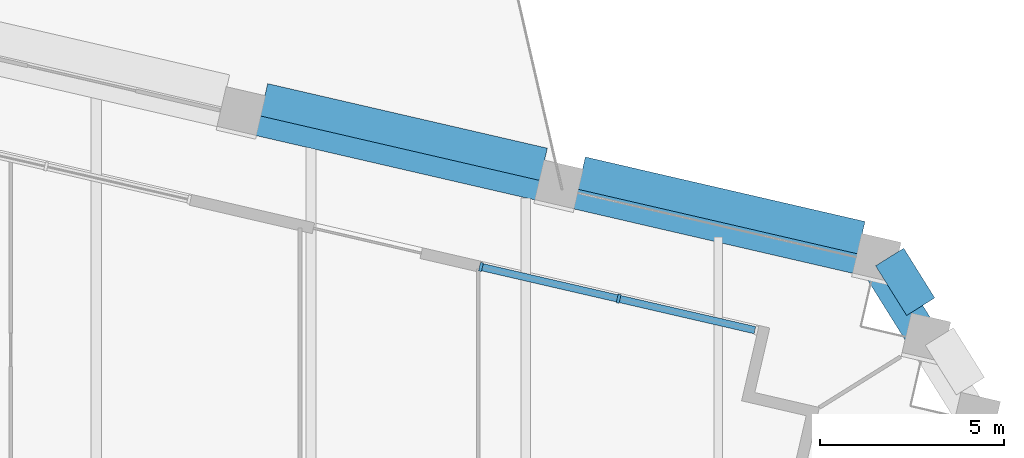
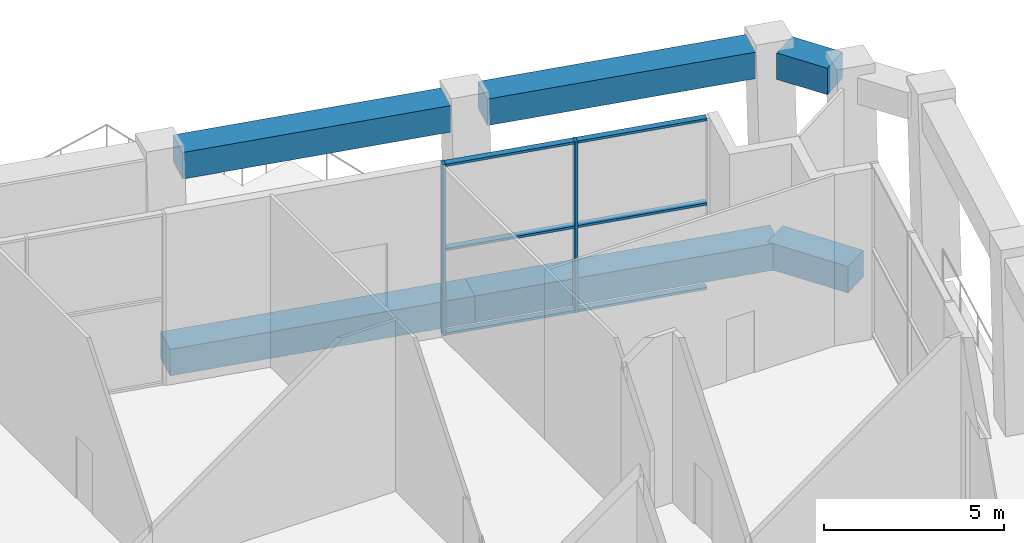
# One storey, part 9 of 21: 8 members, 6 beams, 1 element without a shape of its own.
"""IFC4 building model written with IfcOpenShell, lengths in metres."""

from ifc_helpers import new_model, si_unit, direction, frame, origin, origin_2d, place, context, subcontext, project, spatial, rectangle, extrude, material, material_profile, profile_set, type_object, element, aggregate, save


model = new_model("IFC4")

# Units and contexts
model_context = context("Model", 3, precision=1e-05, world=origin(), true_north=direction((0.0, 1.0)))
body_context = subcontext(model_context, "Body", "Model", "MODEL_VIEW")
ifc_project = project(units=[si_unit("LENGTHUNIT", "METRE"), si_unit("AREAUNIT", "SQUARE_METRE"), si_unit("VOLUMEUNIT", "CUBIC_METRE"), si_unit("PLANEANGLEUNIT", "RADIAN"), si_unit("MASSUNIT", "GRAM", prefix="KILO")], contexts=[model_context])

# Site, building, storey
site_placement = place(None, origin())
site = spatial("IfcSite", under=ifc_project, at=site_placement, CompositionType="ELEMENT")
building_placement = place(site_placement, origin())
building = spatial("IfcBuilding", under=site, at=building_placement, Name="Ogive Exchange Tower", CompositionType="ELEMENT")
storey_placement = place(building_placement, frame((0.0, 0.0, 237.0)))
storey = spatial("IfcBuildingStorey", under=building, at=storey_placement, Name="L51", CompositionType="ELEMENT", Elevation=237.0)

# Beams
ifc_material_1 = material(Name="Precast concrete C70/85 (limestone faced)", Category="masonry")
ifc_material_profile_1 = material_profile(ifc_material_1, rectangle(XDim=0.89990234375, YDim=0.89990234375, at=origin_2d()), Name="900 x 900")
ifc_profile_set_1 = profile_set([ifc_material_profile_1], Name="Precast concrete C70/85 (limestone faced)")
beam_type_1 = type_object("IfcBeamType", Name="Precast spandrel 900 x 900 C70/85", PredefinedType="SPANDREL", material=ifc_profile_set_1)
beam_1_placement = place(storey_placement, frame((34.0390625, 41.41357421875, 5.300048828125), z_axis=(-0.530081755201, 0.847946538882, 0.0), x_axis=(-0.847946538882, -0.530081755201, 0.0)))
element("IfcBeam", 1, at=beam_1_placement, inside=storey, type_object=beam_type_1, Name="Spandrel 17", PredefinedType="SPANDREL", context=body_context, shape_type="SweptSolid", body=[
    extrude(rectangle(XDim=0.89990234375, YDim=0.89990234375, at=origin_2d()), origin(), (0.0, 0.0, 1.0), 1.58984375),
])
for number, where, z_axis, x_axis, name in (
    (2, (32.4267578125, 43.286376953125, 5.300048828125), (-0.974367949416, 0.224960216819, 0.0), (-0.224960216819, -0.974367949416, 0.0), "Spandrel 18"),
    (3, (23.8037109375, 45.277099609375, 5.300048828125), (-0.974367949416, 0.224960216819, 0.0), (-0.224960216819, -0.974367949416, 0.0), "Spandrel 19"),
):
    element("IfcBeam", number, at=place(storey_placement, frame(where, z_axis=z_axis, x_axis=x_axis)), inside=storey, type_object=beam_type_1, Name=name, PredefinedType="SPANDREL", context=body_context, shape_type="SweptSolid", body=[
        extrude(rectangle(XDim=0.89990234375, YDim=0.89990234375, at=origin_2d()), origin(), (0.0, 0.0, 1.0), 7.7900390625),
    ])
ifc_material_profile_2 = material_profile(ifc_material_1, rectangle(XDim=0.89990234375, YDim=0.89990234375, at=origin_2d()), Name="900 x 900")
ifc_profile_set_2 = profile_set([ifc_material_profile_2], Name="Precast concrete C70/85 (limestone faced)")
beam_type_2 = type_object("IfcBeamType", Name="Precast transfer girder 900 x 900 C70/85", PredefinedType="BEAM", material=ifc_profile_set_2)
beam_2_placement = place(storey_placement, frame((34.16943359375, 40.476806640625, -0.89990234375), z_axis=(-0.529912724405, 0.848052182659, 0.0), x_axis=(-0.848052182659, -0.529912724405, 0.0)))
element("IfcBeam", 4, at=beam_2_placement, inside=storey, type_object=beam_type_2, Name="Transfer girder 17", PredefinedType="BEAM", context=body_context, shape_type="SweptSolid", body=[
    extrude(rectangle(XDim=0.89990234375, YDim=0.89990234375, at=origin_2d()), origin(), (0.0, 0.0, 1.0), 2.54541015625),
])
beam_3_placement = place(storey_placement, frame((32.820556640625, 42.635498046875, -0.89990234375), z_axis=(-0.974367013521, 0.224964270413, 0.0), x_axis=(-0.224964270413, -0.974367013521, 0.0)))
element("IfcBeam", 5, at=beam_3_placement, inside=storey, type_object=beam_type_2, Name="Transfer girder 18", PredefinedType="BEAM", context=body_context, shape_type="SweptSolid", body=[
    extrude(rectangle(XDim=0.89990234375, YDim=0.89990234375, at=origin_2d()), origin(), (0.0, 0.0, 1.0), 8.85009765625),
])
beam_4_placement = place(storey_placement, frame((24.197265625, 44.62646484375, -0.89990234375), z_axis=(-0.974371664167, 0.224944126546, 0.0), x_axis=(-0.224944126546, -0.974371664167, 0.0)))
element("IfcBeam", 6, at=beam_4_placement, inside=storey, type_object=beam_type_2, Name="Transfer girder 19", PredefinedType="BEAM", context=body_context, shape_type="SweptSolid", body=[
    extrude(rectangle(XDim=0.89990234375, YDim=0.89990234375, at=origin_2d()), origin(), (0.0, 0.0, 1.0), 8.849853515625),
])

# Curtain wall, members
ifc_material_2 = material(Name="Anodised aluminium and clear glass", Category="aluminium")
curtain_wall_type = type_object("IfcCurtainWallType", Name="Winter garden glazing", PredefinedType="NOTDEFINED", material=ifc_material_2)
curtain_wall_placement = place(storey_placement, origin())
curtain_wall = element("IfcCurtainWall", 7, at=curtain_wall_placement, inside=storey, type_object=curtain_wall_type, Name="Winter garden glazing run G14", PredefinedType="NOTDEFINED")
ifc_material_3 = material(Name="Anodised aluminium", Category="aluminium")
ifc_material_profile_3 = material_profile(ifc_material_3, rectangle(XDim=0.239990234375, YDim=0.080078125, at=origin_2d()), Name="AL 80x240")
ifc_profile_set_3 = profile_set([ifc_material_profile_3], Name="Anodised aluminium")
member_type_1 = type_object("IfcMemberType", Name="Winter garden glazing mullion 80 x 240", PredefinedType="MULLION", material=ifc_profile_set_3)
member_1_placement = place(storey_placement, frame((25.84033203125, 41.6298828125, 0.0), z_axis=(0.0, 0.0, 1.0), x_axis=(-0.224953742238, -0.974369444232, 0.0)))
member_1 = element("IfcMember", 8, at=member_1_placement, type_object=member_type_1, Name="G14 mullion 2", PredefinedType="MULLION", context=body_context, shape_type="SweptSolid", body=[
    extrude(rectangle(XDim=0.239990234375, YDim=0.080078125, at=origin_2d()), origin(), (0.0, 0.0, 1.0), 5.800048828125),
])
member_2_placement = place(storey_placement, frame((22.103759765625, 42.49267578125, 0.0), z_axis=(0.0, 0.0, 1.0), x_axis=(-0.224953742238, -0.974369444232, 0.0)))
member_2 = element("IfcMember", 9, at=member_2_placement, type_object=member_type_1, Name="G14 mullion 3", PredefinedType="MULLION", context=body_context, shape_type="SweptSolid", body=[
    extrude(rectangle(XDim=0.239990234375, YDim=0.080078125, at=origin_2d()), origin(), (0.0, 0.0, 1.0), 5.800048828125),
])
ifc_material_profile_4 = material_profile(ifc_material_3, rectangle(XDim=0.199951171875, YDim=0.080078125, at=origin_2d()), Name="AL 80x200")
ifc_profile_set_4 = profile_set([ifc_material_profile_4], Name="Anodised aluminium")
member_type_2 = type_object("IfcMemberType", Name="Winter garden glazing transom 80 x 200", PredefinedType="USERDEFINED", material=ifc_profile_set_4)
member_3_placement = place(storey_placement, frame((29.5380859375, 40.7763671875, 0.0400390625), z_axis=(-0.974367082115, 0.224963973316, 0.0), x_axis=(-0.224963973316, -0.974367082115, 0.0)))
member_3 = element("IfcMember", 10, at=member_3_placement, type_object=member_type_2, Name="G14 transom 1.1", ObjectType="TRANSOM", PredefinedType="USERDEFINED", context=body_context, shape_type="SweptSolid", body=[
    extrude(rectangle(XDim=0.199951171875, YDim=0.080078125, at=origin_2d()), origin(), (0.0, 0.0, 1.0), 3.7548828125),
])
member_4_placement = place(storey_placement, frame((29.5380859375, 40.7763671875, 2.89990234375), z_axis=(-0.974367082115, 0.224963973316, 0.0), x_axis=(-0.224963973316, -0.974367082115, 0.0)))
member_4 = element("IfcMember", 11, at=member_4_placement, type_object=member_type_2, Name="G14 transom 1.2", ObjectType="TRANSOM", PredefinedType="USERDEFINED", context=body_context, shape_type="SweptSolid", body=[
    extrude(rectangle(XDim=0.199951171875, YDim=0.080078125, at=origin_2d()), origin(), (0.0, 0.0, 1.0), 3.7548828125),
])
member_5_placement = place(storey_placement, frame((29.5380859375, 40.7763671875, 5.760009765625), z_axis=(-0.974367082115, 0.224963973316, 0.0), x_axis=(-0.224963973316, -0.974367082115, 0.0)))
member_5 = element("IfcMember", 12, at=member_5_placement, type_object=member_type_2, Name="G14 transom 1.3", ObjectType="TRANSOM", PredefinedType="USERDEFINED", context=body_context, shape_type="SweptSolid", body=[
    extrude(rectangle(XDim=0.199951171875, YDim=0.080078125, at=origin_2d()), origin(), (0.0, 0.0, 1.0), 3.7548828125),
])
member_6_placement = place(storey_placement, frame((25.801513671875, 41.638916015625, 0.0400390625), z_axis=(-0.97437037231, 0.224949722305, 0.0), x_axis=(-0.224949722305, -0.97437037231, 0.0)))
member_6 = element("IfcMember", 13, at=member_6_placement, type_object=member_type_2, Name="G14 transom 2.1", ObjectType="TRANSOM", PredefinedType="USERDEFINED", context=body_context, shape_type="SweptSolid", body=[
    extrude(rectangle(XDim=0.199951171875, YDim=0.080078125, at=origin_2d()), origin(), (0.0, 0.0, 1.0), 3.755126953125),
])
member_7_placement = place(storey_placement, frame((25.801513671875, 41.638916015625, 2.89990234375), z_axis=(-0.97437037231, 0.224949722305, 0.0), x_axis=(-0.224949722305, -0.97437037231, 0.0)))
member_7 = element("IfcMember", 14, at=member_7_placement, type_object=member_type_2, Name="G14 transom 2.2", ObjectType="TRANSOM", PredefinedType="USERDEFINED", context=body_context, shape_type="SweptSolid", body=[
    extrude(rectangle(XDim=0.199951171875, YDim=0.080078125, at=origin_2d()), origin(), (0.0, 0.0, 1.0), 3.755126953125),
])
member_8_placement = place(storey_placement, frame((25.801513671875, 41.638916015625, 5.760009765625), z_axis=(-0.97437037231, 0.224949722305, 0.0), x_axis=(-0.224949722305, -0.97437037231, 0.0)))
member_8 = element("IfcMember", 15, at=member_8_placement, type_object=member_type_2, Name="G14 transom 2.3", ObjectType="TRANSOM", PredefinedType="USERDEFINED", context=body_context, shape_type="SweptSolid", body=[
    extrude(rectangle(XDim=0.199951171875, YDim=0.080078125, at=origin_2d()), origin(), (0.0, 0.0, 1.0), 3.755126953125),
])
aggregate(curtain_wall, [member_1, member_2, member_3, member_4, member_5, member_6, member_7, member_8])

save(model, "model.ifc")
